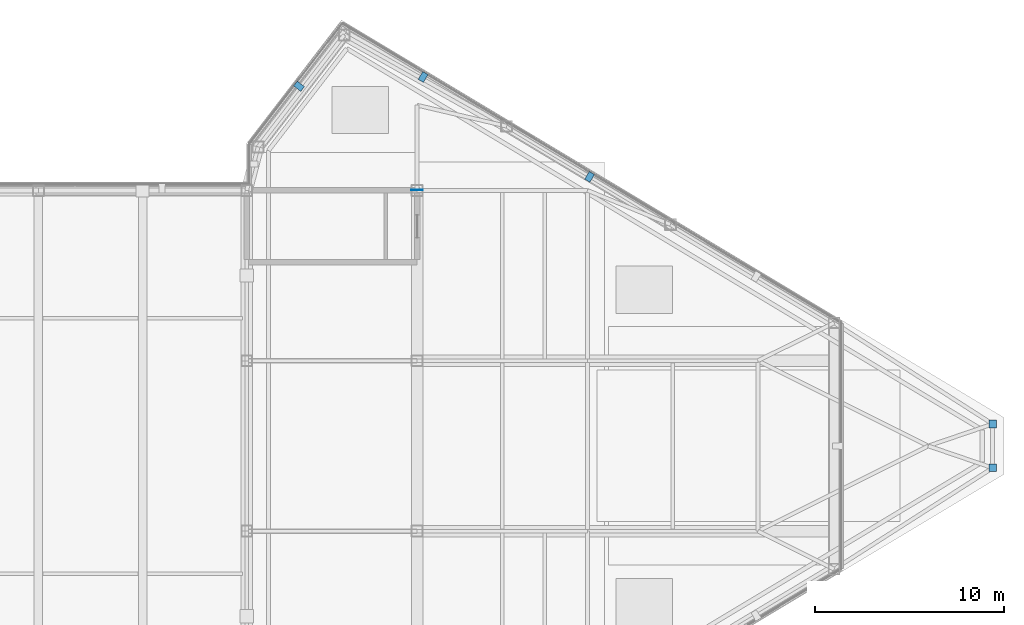
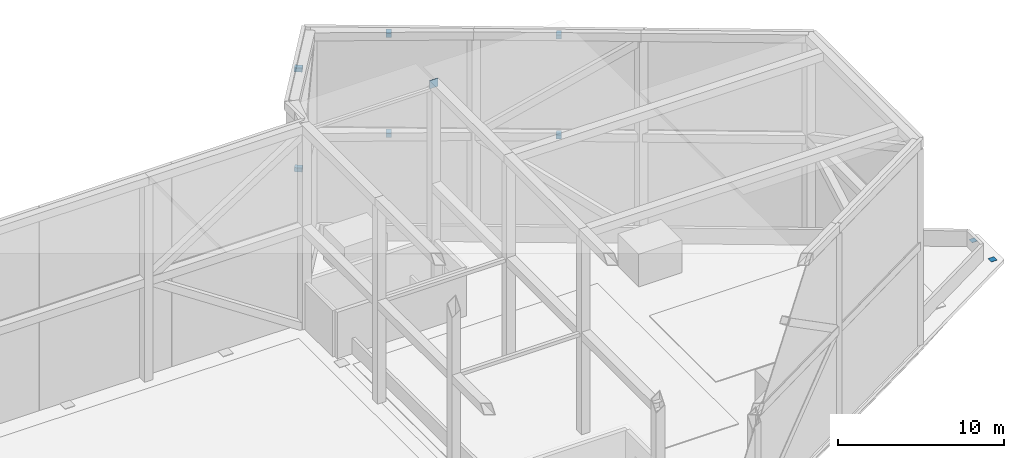
# One storey, part 14 of 16: 9 discrete accessories.
"""IFC4 building model written with IfcOpenShell, lengths in metres."""

import ifcopenshell
import ifcopenshell.guid

model = None  # the IFC model being written
_history = None  # IfcOwnerHistory: only IFC2X3 demands one
_inside = {}  # id of a spatial element -> (the spatial element, [elements in it])
_under = {}  # id of a project, library or spatial element -> (it, [spatial elements below it])
_declared = {}  # id of a project -> (the project, [libraries it declares])
_typed = {}  # id of a type object -> (the type object, [elements of that type])
_made_of = {}  # id of a material, layer set ... -> (it, [elements and type objects made of it])


def new_model(schema):
    """Start an empty IFC model of exactly this schema.

    Asked for "IFC4X3", IfcOpenShell would pick the latest addendum, in which some entities
    have other attributes; the version numbers below select the first issue.
    IFC2X3 requires an IfcOwnerHistory on every rooted entity: one is made here for all.
    """
    global model, _history
    if schema == "IFC4X3":
        model = ifcopenshell.file(schema_version=(4, 3, 0, 0))
    else:
        model = ifcopenshell.file(schema=schema)
    _inside.clear()
    _under.clear()
    _declared.clear()
    _typed.clear()
    _made_of.clear()
    _history = None
    if model.schema == "IFC2X3":
        org = make("IfcOrganization", Name="unknown")
        user = make(
            "IfcPersonAndOrganization",
            ThePerson=make("IfcPerson", FamilyName="unknown"),
            TheOrganization=org,
        )
        app = make(
            "IfcApplication",
            ApplicationDeveloper=org,
            Version="unknown",
            ApplicationFullName="unknown",
            ApplicationIdentifier="unknown",
        )
        _history = make(
            "IfcOwnerHistory",
            OwningUser=user,
            OwningApplication=app,
            ChangeAction="ADDED",
            CreationDate=0,
        )
    return model


def make(cls, **values):
    """One entity of the class cls with the attributes given. An attribute that is None is left unset."""
    return model.create_entity(
        cls, **{name: value for name, value in values.items() if value is not None}
    )


def rooted(cls, **values):
    """An entity with a GlobalId (a new one), such as an element, a storey or a relation."""
    return make(cls, GlobalId=ifcopenshell.guid.new(), OwnerHistory=_history, **values)


def si_unit(unit_type, name, prefix=None):
    """IfcSIUnit, for example si_unit("LENGTHUNIT", "METRE", prefix="MILLI")."""
    return make("IfcSIUnit", UnitType=unit_type, Prefix=prefix, Name=name)


def assignment(units):
    """IfcUnitAssignment: the units of a project."""
    return None if units is None else make("IfcUnitAssignment", Units=units)


def point(xyz):
    """IfcCartesianPoint."""
    return None if xyz is None else make("IfcCartesianPoint", Coordinates=xyz)


def direction(xyz):
    """IfcDirection."""
    return None if xyz is None else make("IfcDirection", DirectionRatios=xyz)


def frame(location, z_axis=None, x_axis=None):
    """IfcAxis2Placement3D, a coordinate frame: its origin and axes. An axis left out is left unset."""
    return make(
        "IfcAxis2Placement3D",
        Location=point(location),
        Axis=direction(z_axis),
        RefDirection=direction(x_axis),
    )


def frame_2d(location, x_axis=None):
    """IfcAxis2Placement2D, a coordinate frame in the plane: its origin and x axis."""
    return make(
        "IfcAxis2Placement2D", Location=point(location), RefDirection=direction(x_axis)
    )


def origin():
    """The frame at (0, 0, 0) with its axes left unset."""
    return frame((0.0, 0.0, 0.0))


def origin_2d():
    """The frame at (0, 0) in the plane with its x axis left unset."""
    return frame_2d((0.0, 0.0))


def place(relative_to, where):
    """IfcLocalPlacement: puts the frame where relative to a parent placement (None: the world)."""
    return make(
        "IfcLocalPlacement", PlacementRelTo=relative_to, RelativePlacement=where
    )


def context(
    kind, dimensions, precision=None, world=None, true_north=None, identifier=None
):
    """IfcGeometricRepresentationContext, for example the 3D "Model" context."""
    return make(
        "IfcGeometricRepresentationContext",
        ContextIdentifier=identifier,
        ContextType=kind,
        CoordinateSpaceDimension=dimensions,
        Precision=precision,
        WorldCoordinateSystem=world,
        TrueNorth=true_north,
    )


def subcontext(parent, identifier, kind, view, scale=None):
    """IfcGeometricRepresentationSubContext, for example "Body" below "Model"."""
    return make(
        "IfcGeometricRepresentationSubContext",
        ContextIdentifier=identifier,
        ContextType=kind,
        ParentContext=parent,
        TargetScale=scale,
        TargetView=view,
    )


def project(units=None, contexts=None):
    """IfcProject with its units and contexts."""
    return rooted(
        "IfcProject",
        Name="project",
        RepresentationContexts=contexts,
        UnitsInContext=assignment(units),
    )


def spatial(cls, under=None, at=None, **own):
    """A site, building, storey or space (cls), placed at a placement, below another one or the project."""
    s = rooted(cls, ObjectPlacement=at, **own)
    if under is not None:
        _under.setdefault(under.id(), (under, []))[1].append(s)
    return s


def profile(cls, at=None, kind="AREA", **sizes):
    """A parametric profile (cls). Its sizes go by their IFC names, for example OverallWidth=200.0."""
    return make(cls, ProfileType=kind, Position=at, **sizes)


def rectangle(**sizes):
    """IfcRectangleProfileDef."""
    return profile("IfcRectangleProfileDef", **sizes)


def extrude(swept, where, along, depth):
    """IfcExtrudedAreaSolid: the profile swept, set in the frame where, extruded along a direction by depth."""
    return make(
        "IfcExtrudedAreaSolid",
        SweptArea=swept,
        Position=where,
        ExtrudedDirection=direction(along),
        Depth=depth,
    )


def shape(context_of_items, identifier, shape_type, items):
    """IfcShapeRepresentation: the items that make up one representation, for example the "Body"."""
    return make(
        "IfcShapeRepresentation",
        ContextOfItems=context_of_items,
        RepresentationIdentifier=identifier,
        RepresentationType=shape_type,
        Items=items,
    )


def source(mapping_origin, context_of_items, identifier, shape_type, items):
    """IfcRepresentationMap: a shape defined once, which mapped items show again and again."""
    return make(
        "IfcRepresentationMap",
        MappingOrigin=mapping_origin,
        MappedRepresentation=shape(context_of_items, identifier, shape_type, items),
    )


def transform(
    local_origin,
    x_axis=None,
    y_axis=None,
    z_axis=None,
    scale=None,
    scale2=None,
    scale3=None,
    uniform=True,
):
    """IfcCartesianTransformationOperator3D, or its non-uniform kind. x_axis, y_axis, z_axis: its Axis1, 2, 3."""
    if uniform:
        return make(
            "IfcCartesianTransformationOperator3D",
            Axis1=direction(x_axis),
            Axis2=direction(y_axis),
            LocalOrigin=point(local_origin),
            Scale=scale,
            Axis3=direction(z_axis),
        )
    return make(
        "IfcCartesianTransformationOperator3DnonUniform",
        Axis1=direction(x_axis),
        Axis2=direction(y_axis),
        LocalOrigin=point(local_origin),
        Scale=scale,
        Axis3=direction(z_axis),
        Scale2=scale2,
        Scale3=scale3,
    )


def mapped(mapping_source, mapping_target):
    """IfcMappedItem: shows the shape of a source again, moved by a transform."""
    return make(
        "IfcMappedItem", MappingSource=mapping_source, MappingTarget=mapping_target
    )


def material(Name=None, Category=None):
    """IfcMaterial."""
    return make("IfcMaterial", Name=Name, Category=Category)


def made_of(thing, what):
    """Note that an element or type object is made of a material, layer set ...; save() writes the relation."""
    if what is not None:
        _made_of.setdefault(what.id(), (what, []))[1].append(thing)
    return thing


def type_object(cls, material=None, **own):
    """A type object (cls), such as IfcWallType, which elements share."""
    return made_of(rooted(cls, **own), material)


def type_shapes(of_type, sources):
    """Give a type object the sources (RepresentationMaps) that its elements show as mapped items."""
    of_type.RepresentationMaps = sources


def element(
    cls,
    number,
    at=None,
    inside=None,
    cuts=None,
    type_object=None,
    material=None,
    context=None,
    identifier="Body",
    shape_type=None,
    held_by="IfcProductDefinitionShape",
    body=None,
    shapes=None,
    **own,
):
    """One element of the class cls, such as IfcWall. Its Tag is "e" and its number.

    at: its placement. inside: the storey or other place that contains it. cuts: it is an
    opening in that element (IfcRelVoidsElement). A single representation is given by context,
    identifier, shape_type and body (its items); several are given by shapes. held_by: the class
    of the entity that holds the representations. save() writes the other relations.
    """
    e = rooted(cls, Tag="e%d" % number, ObjectPlacement=at, **own)
    if body is not None:
        shapes = [shape(context, identifier, shape_type, body)]
    if shapes is not None:
        e.Representation = make(held_by, Representations=shapes)
    if inside is not None:
        _inside.setdefault(inside.id(), (inside, []))[1].append(e)
    if cuts is not None:
        rooted(
            "IfcRelVoidsElement", RelatingBuildingElement=cuts, RelatedOpeningElement=e
        )
    if type_object is not None:
        _typed.setdefault(type_object.id(), (type_object, []))[1].append(e)
    return made_of(e, material)


def aggregate(whole, parts):
    """IfcRelAggregates: a whole, such as a stair, and the parts it consists of."""
    return rooted("IfcRelAggregates", RelatingObject=whole, RelatedObjects=parts)


def save(model, path):
    """Write the relations noted so far, then the file.

    IfcRelAggregates (storeys below a building ...), IfcRelContainedInSpatialStructure (elements
    in a storey), IfcRelDefinesByType, IfcRelAssociatesMaterial and IfcRelDeclares: one each for
    every whole, place, type object, material and project.
    """
    for whole, parts in _under.values():
        aggregate(whole, parts)
    for where, things in _inside.values():
        rooted(
            "IfcRelContainedInSpatialStructure",
            RelatedElements=things,
            RelatingStructure=where,
        )
    for kind, things in _typed.values():
        rooted("IfcRelDefinesByType", RelatedObjects=things, RelatingType=kind)
    for what, things in _made_of.values():
        rooted("IfcRelAssociatesMaterial", RelatedObjects=things, RelatingMaterial=what)
    for by, libraries in _declared.values():
        rooted("IfcRelDeclares", RelatingContext=by, RelatedDefinitions=libraries)
    model.write(path)


model = new_model("IFC4")

# Units and contexts
model_context = context("Model", 3, precision=1e-05, world=origin(), true_north=direction((0.0, 1.0)))
body_context = subcontext(model_context, "Body", "Model", "MODEL_VIEW")
ifc_project = project(units=[si_unit("LENGTHUNIT", "METRE"), si_unit("AREAUNIT", "SQUARE_METRE"), si_unit("VOLUMEUNIT", "CUBIC_METRE"), si_unit("PLANEANGLEUNIT", "RADIAN"), si_unit("MASSUNIT", "GRAM", prefix="KILO")], contexts=[model_context])

# Site, building, storey
site_placement = place(None, origin())
site = spatial("IfcSite", under=ifc_project, at=site_placement, CompositionType="ELEMENT")
building_placement = place(site_placement, origin())
building = spatial("IfcBuilding", under=site, at=building_placement, Name="Seokmaru Belvedere", CompositionType="ELEMENT")
storey_placement = place(building_placement, frame((0.0, 0.0, 279.0)))
storey = spatial("IfcBuildingStorey", under=building, at=storey_placement, Name="RF", CompositionType="ELEMENT", Elevation=279.0)

# Discrete accessories
ifc_material_1 = material(Name="Stainless Steel 316", Category="steel")
discrete_accessory_type_1 = type_object("IfcDiscreteAccessoryType", Name="Stainless Steel Facade Mounting Bracket", PredefinedType="BRACKET", material=ifc_material_1)
shared_shape_1 = source(origin(), body_context, "Body", "SweptSolid", [
    extrude(rectangle(XDim=0.320068359375, YDim=0.47998046875, at=origin_2d()), origin(), (0.0, 0.0, 1.0), 0.300048828125),
])
type_shapes(discrete_accessory_type_1, [shared_shape_1])
for number, where, z_axis, x_axis, name in (
    (1, (45.609130859375, 14.214599609375, 7.14990234375), (0.0, 0.0, 1.0), (-0.857492535386, 0.514496405972, 0.0), "RF Crown Screen Tie Bracket 14-1"),
    (2, (45.609130859375, 14.214599609375, 14.5), (0.0, 0.0, 1.0), (-0.857492535386, 0.514496405972, 0.0), "RF Crown Screen Tie Bracket 14-2"),
    (3, (36.817626953125, 19.48974609375, 7.14990234375), (0.0, 0.0, 1.0), (-0.857492535386, 0.514496405972, 0.0), "RF Crown Screen Tie Bracket 15-1"),
    (4, (36.817626953125, 19.48974609375, 14.5), (0.0, 0.0, 1.0), (-0.857492535386, 0.514496405972, 0.0), "RF Crown Screen Tie Bracket 15-2"),
    (5, (30.261962890625, 19.0, 7.14990234375), (0.0, 0.0, 1.0), (-0.609709487731, -0.792624968425, 0.0), "RF Crown Screen Tie Bracket 16-1"),
    (6, (30.261962890625, 19.0, 14.5), (0.0, 0.0, 1.0), (-0.609709487731, -0.792624968425, 0.0), "RF Crown Screen Tie Bracket 16-2"),
):
    element("IfcDiscreteAccessory", number, at=place(storey_placement, frame(where, z_axis=z_axis, x_axis=x_axis)), inside=storey, type_object=discrete_accessory_type_1, Name=name, PredefinedType="BRACKET", context=body_context, shape_type="MappedRepresentation", body=[
        mapped(shared_shape_1, transform((0.0, 0.0, 0.0), scale=1.0)),
    ])
ifc_material_2 = material(Name="Steel SM355 (355 MPa)", Category="steel")
discrete_accessory_type_2 = type_object("IfcDiscreteAccessoryType", Name="End Cap Plate HSS-400x400x16", PredefinedType="USERDEFINED", material=ifc_material_2)
shared_shape_2 = source(origin(), body_context, "Body", "SweptSolid", [
    extrude(rectangle(XDim=0.39990234375, YDim=0.39990234375, at=origin_2d()), origin(), (0.0, 0.0, 1.0), 0.01611328125),
])
type_shapes(discrete_accessory_type_2, [shared_shape_2])
for number, where, z_axis, x_axis, name in (
    (7, (66.89990234375, -1.160400390625, 0.0), (0.0, 0.0, 1.0), (1.0, 0.0, 0.0), "L72 Column EF2 End Cap Plate Top"),
    (8, (66.89990234375, 1.160400390625, 0.0), (0.0, 0.0, 1.0), (1.0, 0.0, 0.0), "L72 Column EF3 End Cap Plate Top"),
):
    element("IfcDiscreteAccessory", number, at=place(storey_placement, frame(where, z_axis=z_axis, x_axis=x_axis)), inside=storey, type_object=discrete_accessory_type_2, Name=name, ObjectType="END_CAP_PLATE", PredefinedType="USERDEFINED", context=body_context, shape_type="MappedRepresentation", body=[
        mapped(shared_shape_2, transform((0.0, 0.0, 0.0), scale=1.0)),
    ])
discrete_accessory_type_3 = type_object("IfcDiscreteAccessoryType", Name="End Cap Plate HSS-600x600x25", PredefinedType="USERDEFINED", material=ifc_material_2)
shared_shape_3 = source(origin(), body_context, "Body", "SweptSolid", [
    extrude(rectangle(XDim=0.02490234375, YDim=0.60009765625, at=origin_2d()), origin(), (0.0, 0.0, 1.0), 0.60009765625),
])
type_shapes(discrete_accessory_type_3, [shared_shape_3])
discrete_accessory_placement = place(storey_placement, frame((36.5, 13.512451171875, 14.39990234375), z_axis=(0.0, 0.0, 1.0), x_axis=(0.0, 1.0, 0.0)))
element("IfcDiscreteAccessory", 9, at=discrete_accessory_placement, inside=storey, type_object=discrete_accessory_type_3, Name="RF Crown Cross Tie CROWN FRAME T2-E2-3 End Cap Plate End", ObjectType="END_CAP_PLATE", PredefinedType="USERDEFINED", context=body_context, shape_type="MappedRepresentation", body=[
    mapped(shared_shape_3, transform((0.0, 0.0, 0.0), scale=1.0)),
])

save(model, "model.ifc")
